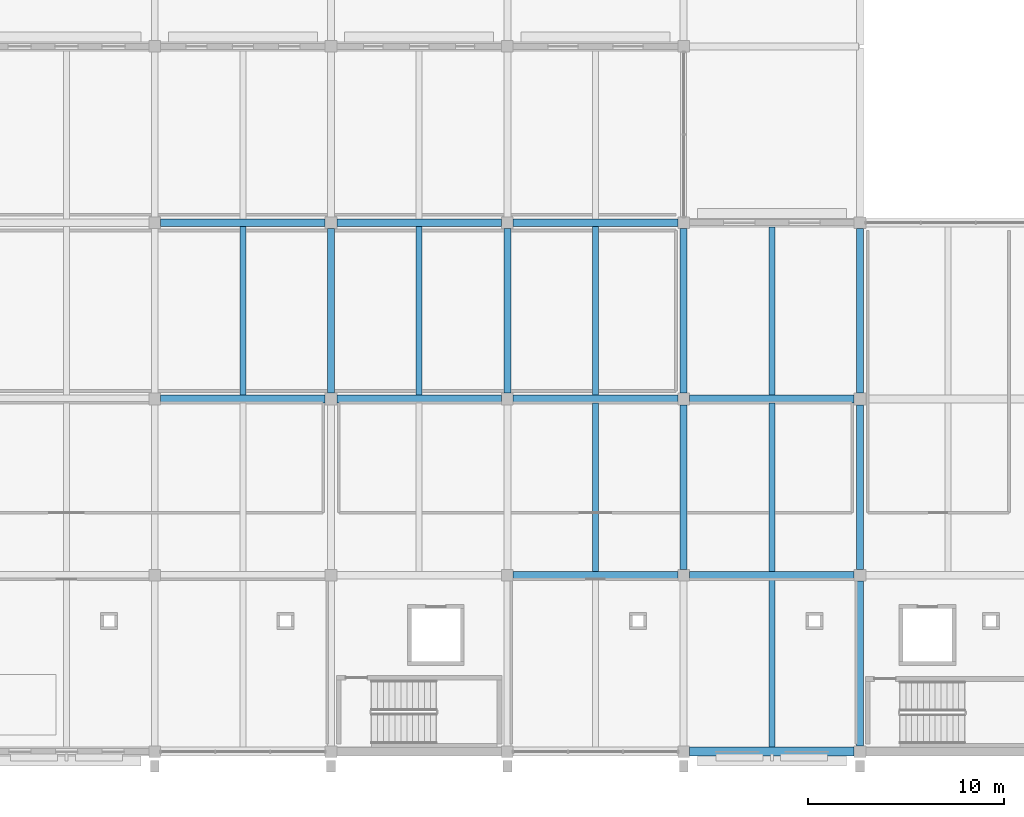
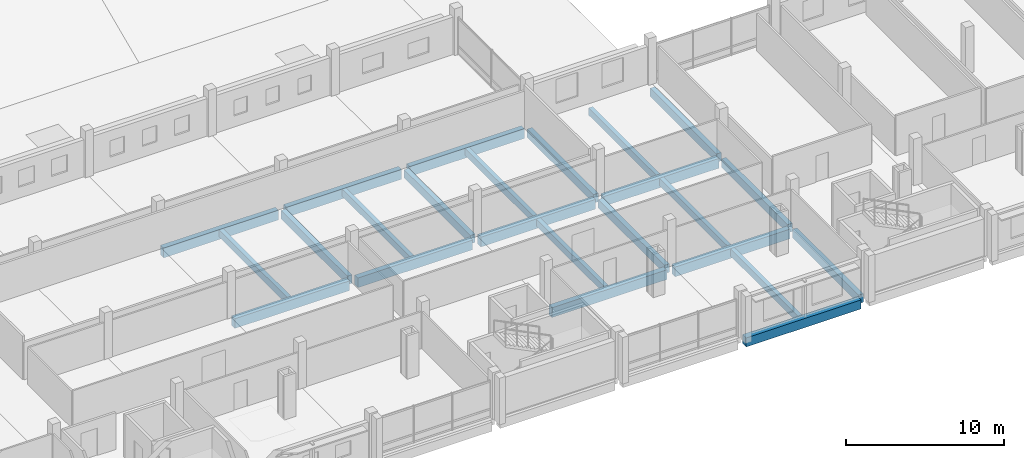
# One storey, part 12 of 163: 24 beams.
"""IFC4 building model written with IfcOpenShell, lengths in metres."""

from ifc_helpers import new_model, si_unit, direction, frame, origin, origin_2d, place, context, subcontext, project, spatial, rectangle, extrude, material, material_profile, profile_set, type_object, element, save


model = new_model("IFC4")

# Units and contexts
model_context = context("Model", 3, precision=1e-05, world=origin(), true_north=direction((0.0, 1.0)))
body_context = subcontext(model_context, "Body", "Model", "MODEL_VIEW")
ifc_project = project(units=[si_unit("LENGTHUNIT", "METRE"), si_unit("AREAUNIT", "SQUARE_METRE"), si_unit("VOLUMEUNIT", "CUBIC_METRE"), si_unit("PLANEANGLEUNIT", "RADIAN"), si_unit("MASSUNIT", "GRAM", prefix="KILO")], contexts=[model_context])

# Site, building, storey
site_placement = place(None, origin())
site = spatial("IfcSite", under=ifc_project, at=site_placement, CompositionType="ELEMENT")
building_placement = place(site_placement, origin())
building = spatial("IfcBuilding", under=site, at=building_placement, Name="Tharagai Park Tramway Depot", CompositionType="ELEMENT")
storey_placement = place(building_placement, frame((0.0, 0.0, 8.39990234375)))
storey = spatial("IfcBuildingStorey", under=building, at=storey_placement, Name="L02", CompositionType="ELEMENT", Elevation=8.39990234375)

# Beams
ifc_material = material(Name="Concrete M35", Category="concrete")
ifc_material_profile_1 = material_profile(ifc_material, rectangle(XDim=0.35009765625, YDim=0.64990234375, at=origin_2d()), Name="RC 350x650")
ifc_profile_set_1 = profile_set([ifc_material_profile_1], Name="Concrete M35")
beam_type_1 = type_object("IfcBeamType", Name="BM-13", PredefinedType="BEAM", material=ifc_profile_set_1)
for number, where, z_axis, x_axis, name in (
    (1, (36.0, 18.300048828125, -0.574951171875), (0.0, 1.0, 0.0), (-1.0, 0.0, 0.0), "L02 Grid Beam BM-13"),
    (2, (45.0, 18.300048828125, -0.574951171875), (0.0, 1.0, 0.0), (-1.0, 0.0, 0.0), "L02 Grid Beam BM-13"),
    (3, (54.0, 9.300048828125, -0.574951171875), (0.0, 1.0, 0.0), (-1.0, 0.0, 0.0), "L02 Grid Beam BM-13"),
    (4, (54.0, 18.300048828125, -0.574951171875), (0.0, 1.0, 0.0), (-1.0, 0.0, 0.0), "L02 Grid Beam BM-13"),
    (5, (63.0, 0.300048828125, -0.574951171875), (0.0, 1.0, 0.0), (-1.0, 0.0, 0.0), "L02 Grid Beam BM-13"),
    (6, (63.0, 9.300048828125, -0.574951171875), (0.0, 1.0, 0.0), (-1.0, 0.0, 0.0), "L02 Grid Beam BM-13"),
    (7, (63.0, 18.300048828125, -0.574951171875), (0.0, 1.0, 0.0), (-1.0, 0.0, 0.0), "L02 Grid Beam BM-13"),
):
    element("IfcBeam", number, at=place(storey_placement, frame(where, z_axis=z_axis, x_axis=x_axis)), inside=storey, type_object=beam_type_1, Name=name, PredefinedType="BEAM", context=body_context, shape_type="SweptSolid", body=[
        extrude(rectangle(XDim=0.35009765625, YDim=0.64990234375, at=origin_2d()), origin(), (0.0, 0.0, 1.0), 8.39990234375),
    ])
ifc_material_profile_2 = material_profile(ifc_material, rectangle(XDim=0.39990234375, YDim=0.75, at=origin_2d()), Name="RC 400x750")
ifc_profile_set_2 = profile_set([ifc_material_profile_2], Name="Concrete M35")
beam_type_2 = type_object("IfcBeamType", Name="BM-19", PredefinedType="BEAM", material=ifc_profile_set_2)
for number, where, z_axis, x_axis, name in (
    (8, (45.300048828125, 9.0, -0.625), (1.0, 0.0, 0.0), (0.0, 1.0, 0.0), "L02 Grid Beam BM-19"),
    (9, (54.300048828125, 9.0, -0.625), (1.0, 0.0, 0.0), (0.0, 1.0, 0.0), "L02 Grid Beam BM-19"),
    (10, (27.300048828125, 18.0, -0.625), (1.0, 0.0, 0.0), (0.0, 1.0, 0.0), "L02 Grid Beam BM-19"),
    (11, (36.300048828125, 18.0, -0.625), (1.0, 0.0, 0.0), (0.0, 1.0, 0.0), "L02 Grid Beam BM-19"),
    (12, (45.300048828125, 18.0, -0.625), (1.0, 0.0, 0.0), (0.0, 1.0, 0.0), "L02 Grid Beam BM-19"),
    (13, (54.300048828125, 18.0, -0.625), (1.0, 0.0, 0.0), (0.0, 1.0, 0.0), "L02 Grid Beam BM-19"),
    (14, (27.300048828125, 27.0, -0.625), (1.0, 0.0, 0.0), (0.0, 1.0, 0.0), "L02 Grid Beam BM-19"),
    (15, (36.300048828125, 27.0, -0.625), (1.0, 0.0, 0.0), (0.0, 1.0, 0.0), "L02 Grid Beam BM-19"),
    (16, (45.300048828125, 27.0, -0.625), (1.0, 0.0, 0.0), (0.0, 1.0, 0.0), "L02 Grid Beam BM-19"),
):
    element("IfcBeam", number, at=place(storey_placement, frame(where, z_axis=z_axis, x_axis=x_axis)), inside=storey, type_object=beam_type_2, Name=name, PredefinedType="BEAM", context=body_context, shape_type="SweptSolid", body=[
        extrude(rectangle(XDim=0.39990234375, YDim=0.75, at=origin_2d()), origin(), (0.0, 0.0, 1.0), 8.39990234375),
    ])
ifc_material_profile_3 = material_profile(ifc_material, rectangle(XDim=0.300048828125, YDim=0.550048828125, at=origin_2d()), Name="RC 300x550")
ifc_profile_set_3 = profile_set([ifc_material_profile_3], Name="Concrete M35")
beam_type_3 = type_object("IfcBeamType", Name="JT-06", PredefinedType="JOIST", material=ifc_profile_set_3)
for number, where, z_axis, x_axis, name in (
    (17, (31.5, 18.199951171875, -0.52490234375), (0.0, 1.0, 0.0), (-1.0, 0.0, 0.0), "L02 Secondary Joist JT-06"),
    (18, (40.5, 18.199951171875, -0.52490234375), (0.0, 1.0, 0.0), (-1.0, 0.0, 0.0), "L02 Secondary Joist JT-06"),
    (19, (49.5, 9.199951171875, -0.52490234375), (0.0, 1.0, 0.0), (-1.0, 0.0, 0.0), "L02 Secondary Joist JT-06"),
    (20, (49.5, 18.199951171875, -0.52490234375), (0.0, 1.0, 0.0), (-1.0, 0.0, 0.0), "L02 Secondary Joist JT-06"),
):
    element("IfcBeam", number, at=place(storey_placement, frame(where, z_axis=z_axis, x_axis=x_axis)), inside=storey, type_object=beam_type_3, Name=name, PredefinedType="JOIST", context=body_context, shape_type="SweptSolid", body=[
        extrude(rectangle(XDim=0.300048828125, YDim=0.550048828125, at=origin_2d()), origin(), (0.0, 0.0, 1.0), 8.60009765625),
    ])
beam_1_placement = place(storey_placement, frame((58.5, 0.22509765625, -0.52490234375), z_axis=(0.0, 1.0, 0.0), x_axis=(-1.0, 0.0, 0.0)))
element("IfcBeam", 21, at=beam_1_placement, inside=storey, type_object=beam_type_3, Name="L02 Secondary Joist JT-06", PredefinedType="JOIST", context=body_context, shape_type="SweptSolid", body=[
    extrude(rectangle(XDim=0.300048828125, YDim=0.550048828125, at=origin_2d()), origin(), (0.0, 0.0, 1.0), 8.574951171875),
])
beam_2_placement = place(storey_placement, frame((58.5, 9.199951171875, -0.52490234375), z_axis=(0.0, 1.0, 0.0), x_axis=(-1.0, 0.0, 0.0)))
element("IfcBeam", 22, at=beam_2_placement, inside=storey, type_object=beam_type_3, Name="L02 Secondary Joist JT-06", PredefinedType="JOIST", context=body_context, shape_type="SweptSolid", body=[
    extrude(rectangle(XDim=0.300048828125, YDim=0.550048828125, at=origin_2d()), origin(), (0.0, 0.0, 1.0), 8.60009765625),
])
beam_3_placement = place(storey_placement, frame((58.5, 18.199951171875, -0.52490234375), z_axis=(0.0, 1.0, 0.0), x_axis=(-1.0, 0.0, 0.0)))
element("IfcBeam", 23, at=beam_3_placement, inside=storey, type_object=beam_type_3, Name="L02 Secondary Joist JT-06", PredefinedType="JOIST", context=body_context, shape_type="SweptSolid", body=[
    extrude(rectangle(XDim=0.300048828125, YDim=0.550048828125, at=origin_2d()), origin(), (0.0, 0.0, 1.0), 8.574951171875),
])
ifc_material_profile_4 = material_profile(ifc_material, rectangle(XDim=0.449951171875, YDim=0.699951171875, at=origin_2d()), Name="RC 450x700")
ifc_profile_set_4 = profile_set([ifc_material_profile_4], Name="Concrete M35")
beam_type_4 = type_object("IfcBeamType", Name="SP-01", PredefinedType="SPANDREL", material=ifc_profile_set_4)
beam_4_placement = place(storey_placement, frame((54.300048828125, 0.0, -0.599853515625), z_axis=(1.0, 0.0, 0.0), x_axis=(0.0, 1.0, 0.0)))
element("IfcBeam", 24, at=beam_4_placement, inside=storey, type_object=beam_type_4, Name="L02 Grid Beam SP-01", PredefinedType="SPANDREL", context=body_context, shape_type="SweptSolid", body=[
    extrude(rectangle(XDim=0.449951171875, YDim=0.699951171875, at=origin_2d()), origin(), (0.0, 0.0, 1.0), 8.39990234375),
])

save(model, "model.ifc")
